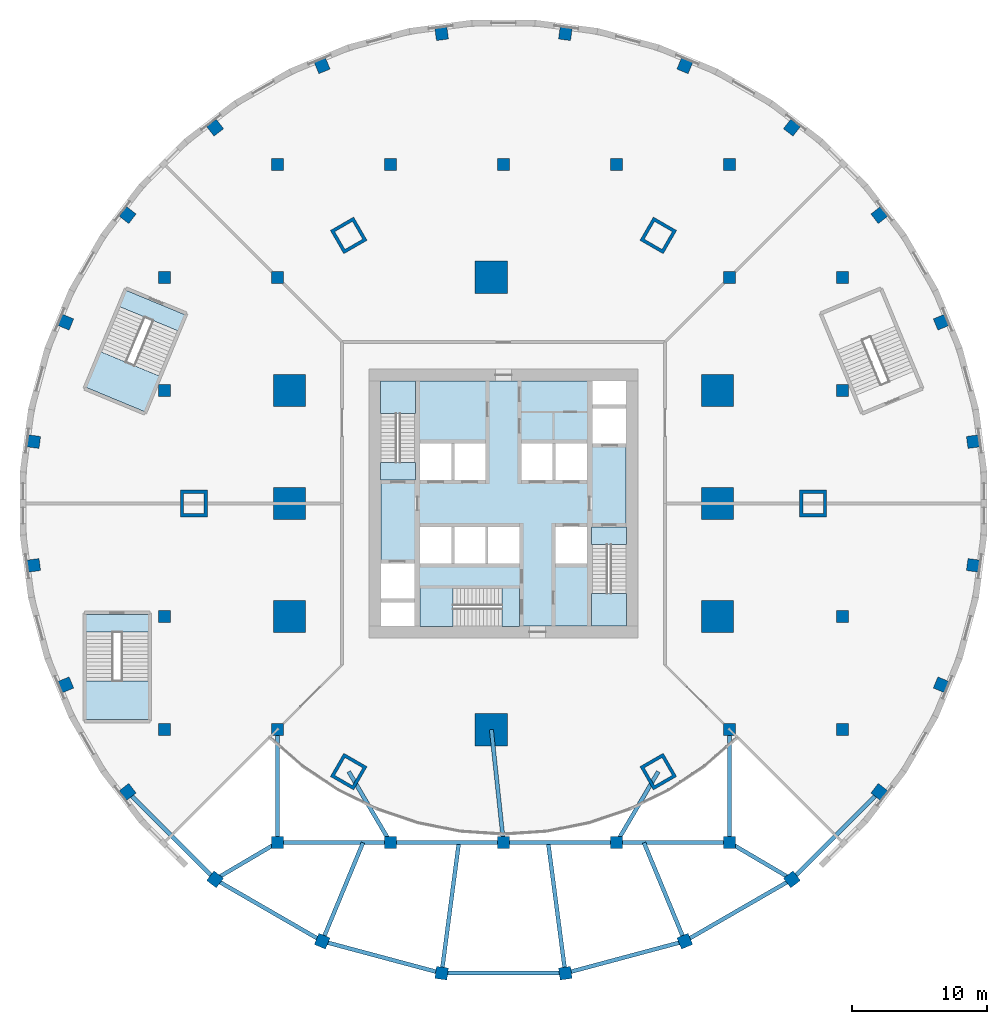
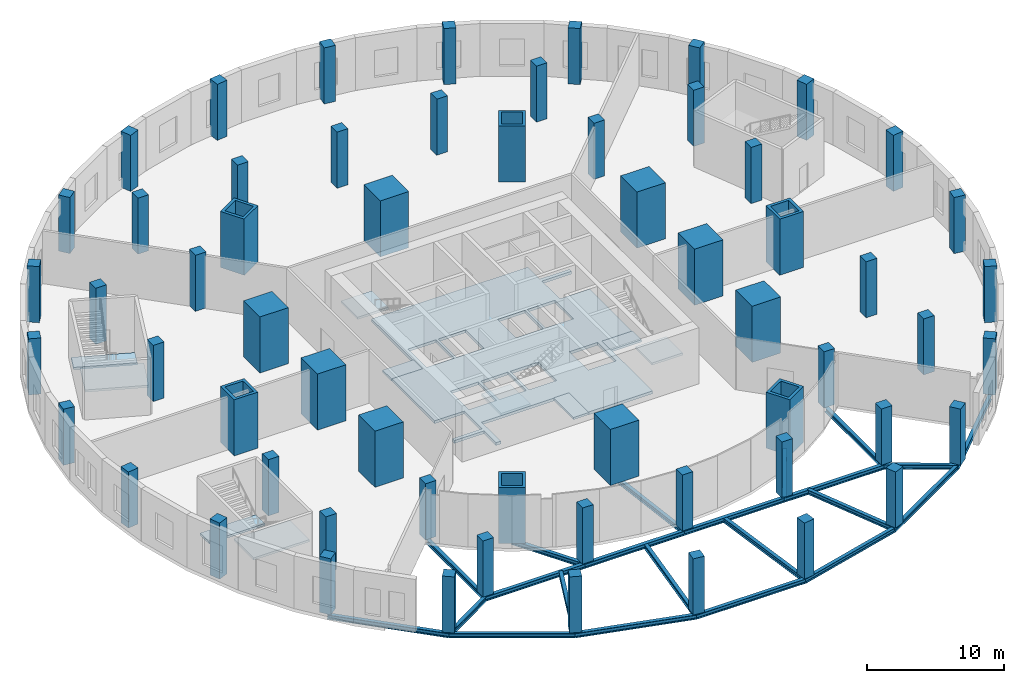
# One storey, part 1 of 11: 60 columns, 22 beams, 11 slabs, 5 elements without a shape of their own.
"""IFC4 building model written with IfcOpenShell, lengths in metres."""

from ifc_helpers import new_model, si_unit, direction, frame, origin, origin_2d, place, context, subcontext, project, spatial, polyline, rectangle, hollow_rectangle, i_section, outline, extrude, material, layer, layer_set, material_profile, profile_set, type_object, element, aggregate, save


model = new_model("IFC4")

# Units and contexts
model_context = context("Model", 3, precision=1e-05, world=origin(), true_north=direction((0.0, 1.0)))
body_context = subcontext(model_context, "Body", "Model", "MODEL_VIEW")
ifc_project = project(units=[si_unit("LENGTHUNIT", "METRE"), si_unit("AREAUNIT", "SQUARE_METRE"), si_unit("VOLUMEUNIT", "CUBIC_METRE"), si_unit("PLANEANGLEUNIT", "RADIAN"), si_unit("MASSUNIT", "GRAM", prefix="KILO")], contexts=[model_context])

# Site, building, storey
site_placement = place(None, origin())
site = spatial("IfcSite", under=ifc_project, at=site_placement, CompositionType="ELEMENT")
building_placement = place(site_placement, origin())
building = spatial("IfcBuilding", under=site, at=building_placement, Name="Golbaran Civic Tower", CompositionType="ELEMENT")
storey_placement = place(building_placement, frame((0.0, 0.0, 11.0)))
storey = spatial("IfcBuildingStorey", under=building, at=storey_placement, Name="L02", CompositionType="ELEMENT", Elevation=11.0)

# Columns
ifc_material_1 = material(Name="Steel S355", Category="steel")
ifc_material_profile_1 = material_profile(ifc_material_1, hollow_rectangle(XDim=2.0, YDim=2.0, WallThickness=0.239990234375, at=origin_2d()), Name="BOX 2000x2000x240")
ifc_profile_set_1 = profile_set([ifc_material_profile_1], Name="Steel S355")
column_type_1 = type_object("IfcColumnType", Name="MEGA COLUMN BOX 2000x2000x240", PredefinedType="COLUMN", material=ifc_profile_set_1)
for number, where, z_axis, x_axis, name in (
    (1, (23.0, 0.0, 0.0), (0.0, 0.0, 1.0), (1.0, 0.0, 0.0), "Column mega 0 L02"),
    (2, (11.5, 19.918701171875, 0.0), (0.0, 0.0, 1.0), (0.5, 0.866025403784, 0.0), "Column mega 60 L02"),
    (3, (-11.5, 19.918701171875, 0.0), (0.0, 0.0, 1.0), (-0.5, 0.866025403784, 0.0), "Column mega 120 L02"),
    (4, (-23.0, 0.0, 0.0), (0.0, 0.0, 1.0), (-1.0, 0.0, 0.0), "Column mega 180 L02"),
    (5, (-11.5, -19.918701171875, 0.0), (0.0, 0.0, 1.0), (-0.5, -0.866025403784, 0.0), "Column mega 240 L02"),
    (6, (11.5, -19.918701171875, 0.0), (0.0, 0.0, 1.0), (0.5, -0.866025403784, 0.0), "Column mega 300 L02"),
):
    element("IfcColumn", number, at=place(storey_placement, frame(where, z_axis=z_axis, x_axis=x_axis)), inside=storey, type_object=column_type_1, Name=name, PredefinedType="COLUMN", context=body_context, shape_type="SweptSolid", body=[
        extrude(hollow_rectangle(XDim=2.0, YDim=2.0, WallThickness=0.239990234375, at=origin_2d()), origin(), (0.0, 0.0, 1.0), 5.0),
    ])
ifc_material_2 = material(Name="Concrete C50/60", Category="concrete")
ifc_material_profile_2 = material_profile(ifc_material_2, rectangle(XDim=0.89990234375, YDim=0.89990234375, at=origin_2d()), Name="RC 900x900")
ifc_profile_set_2 = profile_set([ifc_material_profile_2], Name="Concrete C50/60")
column_type_2 = type_object("IfcColumnType", Name="PODIUM COLUMN RC 900x900", PredefinedType="COLUMN", material=ifc_profile_set_2)
for number, where, z_axis, x_axis, name in (
    (7, (-25.199951171875, -16.800048828125, 0.0), (0.0, 0.0, 1.0), (1.0, 0.0, 0.0), "Column 3/D L02"),
    (8, (-25.199951171875, -8.39990234375, 0.0), (0.0, 0.0, 1.0), (1.0, 0.0, 0.0), "Column 3/E L02"),
    (9, (-25.199951171875, 8.39990234375, 0.0), (0.0, 0.0, 1.0), (1.0, 0.0, 0.0), "Column 3/G L02"),
    (10, (-25.199951171875, 16.800048828125, 0.0), (0.0, 0.0, 1.0), (1.0, 0.0, 0.0), "Column 3/H L02"),
    (11, (-16.800048828125, -25.199951171875, 0.0), (0.0, 0.0, 1.0), (1.0, 0.0, 0.0), "Column 4/C L02"),
    (12, (-16.800048828125, -16.800048828125, 0.0), (0.0, 0.0, 1.0), (1.0, 0.0, 0.0), "Column 4/D L02"),
    (13, (-16.800048828125, 16.800048828125, 0.0), (0.0, 0.0, 1.0), (1.0, 0.0, 0.0), "Column 4/H L02"),
    (14, (-16.800048828125, 25.199951171875, 0.0), (0.0, 0.0, 1.0), (1.0, 0.0, 0.0), "Column 4/J L02"),
    (15, (-8.39990234375, -25.199951171875, 0.0), (0.0, 0.0, 1.0), (1.0, 0.0, 0.0), "Column 5/C L02"),
    (16, (-8.39990234375, 25.199951171875, 0.0), (0.0, 0.0, 1.0), (1.0, 0.0, 0.0), "Column 5/J L02"),
    (17, (0.0, -25.199951171875, 0.0), (0.0, 0.0, 1.0), (1.0, 0.0, 0.0), "Column 6/C L02"),
    (18, (0.0, 25.199951171875, 0.0), (0.0, 0.0, 1.0), (1.0, 0.0, 0.0), "Column 6/J L02"),
    (19, (8.39990234375, -25.199951171875, 0.0), (0.0, 0.0, 1.0), (1.0, 0.0, 0.0), "Column 7/C L02"),
    (20, (8.39990234375, 25.199951171875, 0.0), (0.0, 0.0, 1.0), (1.0, 0.0, 0.0), "Column 7/J L02"),
    (21, (16.800048828125, -25.199951171875, 0.0), (0.0, 0.0, 1.0), (1.0, 0.0, 0.0), "Column 8/C L02"),
    (22, (16.800048828125, -16.800048828125, 0.0), (0.0, 0.0, 1.0), (1.0, 0.0, 0.0), "Column 8/D L02"),
    (23, (16.800048828125, 16.800048828125, 0.0), (0.0, 0.0, 1.0), (1.0, 0.0, 0.0), "Column 8/H L02"),
    (24, (16.800048828125, 25.199951171875, 0.0), (0.0, 0.0, 1.0), (1.0, 0.0, 0.0), "Column 8/J L02"),
    (25, (25.199951171875, -16.800048828125, 0.0), (0.0, 0.0, 1.0), (1.0, 0.0, 0.0), "Column 9/D L02"),
    (26, (25.199951171875, -8.39990234375, 0.0), (0.0, 0.0, 1.0), (1.0, 0.0, 0.0), "Column 9/E L02"),
    (27, (25.199951171875, 8.39990234375, 0.0), (0.0, 0.0, 1.0), (1.0, 0.0, 0.0), "Column 9/G L02"),
    (28, (25.199951171875, 16.800048828125, 0.0), (0.0, 0.0, 1.0), (1.0, 0.0, 0.0), "Column 9/H L02"),
):
    element("IfcColumn", number, at=place(storey_placement, frame(where, z_axis=z_axis, x_axis=x_axis)), inside=storey, type_object=column_type_2, Name=name, PredefinedType="COLUMN", context=body_context, shape_type="SweptSolid", body=[
        extrude(rectangle(XDim=0.89990234375, YDim=0.89990234375, at=origin_2d()), origin(), (0.0, 0.0, 1.0), 5.0),
    ])
ifc_material_profile_3 = material_profile(ifc_material_2, rectangle(XDim=2.39990234375, YDim=2.39990234375, at=origin_2d()), Name="RC 2400x2400")
ifc_profile_set_3 = profile_set([ifc_material_profile_3], Name="Concrete C50/60")
column_type_3 = type_object("IfcColumnType", Name="PODIUM COLUMN UNDER TOWER RC 2400x2400", PredefinedType="COLUMN", material=ifc_profile_set_3)
for number, where, z_axis, x_axis, name in (
    (29, (-15.89990234375, -8.39990234375, 0.0), (0.0, 0.0, 1.0), (1.0, 0.0, 0.0), "Column 4/E L02"),
    (30, (-15.89990234375, 0.0, 0.0), (0.0, 0.0, 1.0), (1.0, 0.0, 0.0), "Column 4/F L02"),
    (31, (-15.89990234375, 8.39990234375, 0.0), (0.0, 0.0, 1.0), (1.0, 0.0, 0.0), "Column 4/G L02"),
    (32, (-0.89990234375, -16.800048828125, 0.0), (0.0, 0.0, 1.0), (1.0, 0.0, 0.0), "Column 6/D L02"),
    (33, (-0.89990234375, 16.800048828125, 0.0), (0.0, 0.0, 1.0), (1.0, 0.0, 0.0), "Column 6/H L02"),
    (34, (15.89990234375, -8.39990234375, 0.0), (0.0, 0.0, 1.0), (1.0, 0.0, 0.0), "Column 8/E L02"),
    (35, (15.89990234375, 0.0, 0.0), (0.0, 0.0, 1.0), (1.0, 0.0, 0.0), "Column 8/F L02"),
    (36, (15.89990234375, 8.39990234375, 0.0), (0.0, 0.0, 1.0), (1.0, 0.0, 0.0), "Column 8/G L02"),
):
    element("IfcColumn", number, at=place(storey_placement, frame(where, z_axis=z_axis, x_axis=x_axis)), inside=storey, type_object=column_type_3, Name=name, PredefinedType="COLUMN", context=body_context, shape_type="SweptSolid", body=[
        extrude(rectangle(XDim=2.39990234375, YDim=2.39990234375, at=origin_2d()), origin(), (0.0, 0.0, 1.0), 5.0),
    ])
ifc_material_profile_4 = material_profile(ifc_material_2, rectangle(XDim=0.89990234375, YDim=0.89990234375, at=origin_2d()), Name="RC 900x900")
ifc_profile_set_4 = profile_set([ifc_material_profile_4], Name="Concrete C50/60")
column_type_4 = type_object("IfcColumnType", Name="PODIUM EDGE COLUMN RC 900x900", PredefinedType="COLUMN", material=ifc_profile_set_4)
for number, where, z_axis, x_axis, name in (
    (37, (34.89892578125, 4.594482421875, 0.0), (0.0, 0.0, 1.0), (0.991444861374, 0.13052619222, 0.0), "Column edge 7.5 L02"),
    (38, (32.5205078125, 13.470458984375, 0.0), (0.0, 0.0, 1.0), (0.923879532511, 0.382683432365, 0.0), "Column edge 22.5 L02"),
    (39, (27.926025390625, 21.428466796875, 0.0), (0.0, 0.0, 1.0), (0.793353340291, 0.608761429009, 0.0), "Column edge 37.5 L02"),
    (40, (21.428466796875, 27.926025390625, 0.0), (0.0, 0.0, 1.0), (0.608761429009, 0.793353340291, 0.0), "Column edge 52.5 L02"),
    (41, (13.470458984375, 32.5205078125, 0.0), (0.0, 0.0, 1.0), (0.382683432365, 0.923879532511, 0.0), "Column edge 67.5 L02"),
    (42, (4.594482421875, 34.89892578125, 0.0), (0.0, 0.0, 1.0), (0.13052619222, 0.991444861374, 0.0), "Column edge 82.5 L02"),
    (43, (-4.594482421875, 34.89892578125, 0.0), (0.0, 0.0, 1.0), (-0.13052619222, 0.991444861374, 0.0), "Column edge 97.5 L02"),
    (44, (-13.470458984375, 32.5205078125, 0.0), (0.0, 0.0, 1.0), (-0.382683432365, 0.923879532511, 0.0), "Column edge 112.5 L02"),
    (45, (-21.428466796875, 27.926025390625, 0.0), (0.0, 0.0, 1.0), (-0.608761429009, 0.793353340291, 0.0), "Column edge 127.5 L02"),
    (46, (-27.926025390625, 21.428466796875, 0.0), (0.0, 0.0, 1.0), (-0.793353340291, 0.608761429009, 0.0), "Column edge 142.5 L02"),
    (47, (-32.5205078125, 13.470458984375, 0.0), (0.0, 0.0, 1.0), (-0.923879532511, 0.382683432365, 0.0), "Column edge 157.5 L02"),
    (48, (-34.89892578125, 4.594482421875, 0.0), (0.0, 0.0, 1.0), (-0.991444861374, 0.13052619222, 0.0), "Column edge 172.5 L02"),
    (49, (-34.89892578125, -4.594482421875, 0.0), (0.0, 0.0, 1.0), (-0.991444861374, -0.13052619222, 0.0), "Column edge 187.5 L02"),
    (50, (-32.5205078125, -13.470458984375, 0.0), (0.0, 0.0, 1.0), (-0.923879532511, -0.382683432365, 0.0), "Column edge 202.5 L02"),
    (51, (-27.926025390625, -21.428466796875, 0.0), (0.0, 0.0, 1.0), (-0.793353340291, -0.608761429009, 0.0), "Column edge 217.5 L02"),
    (52, (-21.428466796875, -27.926025390625, 0.0), (0.0, 0.0, 1.0), (-0.608761429009, -0.793353340291, 0.0), "Column edge 232.5 L02"),
    (53, (-13.470458984375, -32.5205078125, 0.0), (0.0, 0.0, 1.0), (-0.382683432365, -0.923879532511, 0.0), "Column edge 247.5 L02"),
    (54, (-4.594482421875, -34.89892578125, 0.0), (0.0, 0.0, 1.0), (-0.13052619222, -0.991444861374, 0.0), "Column edge 262.5 L02"),
    (55, (4.594482421875, -34.89892578125, 0.0), (0.0, 0.0, 1.0), (0.13052619222, -0.991444861374, 0.0), "Column edge 277.5 L02"),
    (56, (13.470458984375, -32.5205078125, 0.0), (0.0, 0.0, 1.0), (0.382683432365, -0.923879532511, 0.0), "Column edge 292.5 L02"),
    (57, (21.428466796875, -27.926025390625, 0.0), (0.0, 0.0, 1.0), (0.608761429009, -0.793353340291, 0.0), "Column edge 307.5 L02"),
    (58, (27.926025390625, -21.428466796875, 0.0), (0.0, 0.0, 1.0), (0.793353340291, -0.608761429009, 0.0), "Column edge 322.5 L02"),
    (59, (32.5205078125, -13.470458984375, 0.0), (0.0, 0.0, 1.0), (0.923879532511, -0.382683432365, 0.0), "Column edge 337.5 L02"),
    (60, (34.89892578125, -4.594482421875, 0.0), (0.0, 0.0, 1.0), (0.991444861374, -0.13052619222, 0.0), "Column edge 352.5 L02"),
):
    element("IfcColumn", number, at=place(storey_placement, frame(where, z_axis=z_axis, x_axis=x_axis)), inside=storey, type_object=column_type_4, Name=name, PredefinedType="COLUMN", context=body_context, shape_type="SweptSolid", body=[
        extrude(rectangle(XDim=0.89990234375, YDim=0.89990234375, at=origin_2d()), origin(), (0.0, 0.0, 1.0), 5.0),
    ])

# Beams
ifc_material_profile_5 = material_profile(ifc_material_1, i_section(OverallWidth=0.300048828125, OverallDepth=0.39990234375, WebThickness=0.013427734375, FlangeThickness=0.02392578125, FilletRadius=0.027099609375, at=origin_2d()), Name="HEB 400")
ifc_profile_set_5 = profile_set([ifc_material_profile_5], Name="Steel S355")
beam_type = type_object("IfcBeamType", Name="ATRIUM BRACING TIE HEB 400", PredefinedType="BEAM", material=ifc_profile_set_5)
beam_1_placement = place(storey_placement, frame((-16.800048828125, -25.199951171875, -0.5), z_axis=(1.0, 0.0, 0.0), x_axis=(0.0, 1.0, 0.0)))
element("IfcBeam", 61, at=beam_1_placement, inside=storey, type_object=beam_type, Name="Atrium bracing tie L02 ROW 01", PredefinedType="BEAM", context=body_context, shape_type="SweptSolid", body=[
    extrude(i_section(OverallWidth=0.300048828125, OverallDepth=0.39990234375, WebThickness=0.013427734375, FlangeThickness=0.02392578125, FilletRadius=0.027099609375, at=origin_2d()), origin(), (0.0, 0.0, 1.0), 8.400146484375),
])
for number, where, z_axis, x_axis, name in (
    (62, (-8.39990234375, -25.199951171875, -0.5), (1.0, 0.0, 0.0), (0.0, 1.0, 0.0), "Atrium bracing tie L02 ROW 02"),
    (63, (0.0, -25.199951171875, -0.5), (1.0, 0.0, 0.0), (0.0, 1.0, 0.0), "Atrium bracing tie L02 ROW 03"),
):
    element("IfcBeam", number, at=place(storey_placement, frame(where, z_axis=z_axis, x_axis=x_axis)), inside=storey, type_object=beam_type, Name=name, PredefinedType="BEAM", context=body_context, shape_type="SweptSolid", body=[
        extrude(i_section(OverallWidth=0.300048828125, OverallDepth=0.39990234375, WebThickness=0.013427734375, FlangeThickness=0.02392578125, FilletRadius=0.027099609375, at=origin_2d()), origin(), (0.0, 0.0, 1.0), 8.39990234375),
    ])
beam_2_placement = place(storey_placement, frame((8.39990234375, -25.199951171875, -0.5), z_axis=(1.0, 0.0, 0.0), x_axis=(0.0, 1.0, 0.0)))
element("IfcBeam", 64, at=beam_2_placement, inside=storey, type_object=beam_type, Name="Atrium bracing tie L02 ROW 04", PredefinedType="BEAM", context=body_context, shape_type="SweptSolid", body=[
    extrude(i_section(OverallWidth=0.300048828125, OverallDepth=0.39990234375, WebThickness=0.013427734375, FlangeThickness=0.02392578125, FilletRadius=0.027099609375, at=origin_2d()), origin(), (0.0, 0.0, 1.0), 8.400146484375),
])
for number, where, z_axis, x_axis, name in (
    (65, (-27.926025390625, -21.428466796875, -0.5), (0.707106781187, -0.707106781187, 0.0), (0.707106781187, 0.707106781187, 0.0), "Atrium bracing tie L02 RING 01"),
    (66, (-21.428466796875, -27.926025390625, -0.5), (0.86602896297, -0.49999383526, 0.0), (0.49999383526, 0.86602896297, 0.0), "Atrium bracing tie L02 RING 02"),
):
    element("IfcBeam", number, at=place(storey_placement, frame(where, z_axis=z_axis, x_axis=x_axis)), inside=storey, type_object=beam_type, Name=name, PredefinedType="BEAM", context=body_context, shape_type="SweptSolid", body=[
        extrude(i_section(OverallWidth=0.300048828125, OverallDepth=0.39990234375, WebThickness=0.013427734375, FlangeThickness=0.02392578125, FilletRadius=0.027099609375, at=origin_2d()), origin(), (0.0, 0.0, 1.0), 9.18896484375),
    ])
beam_3_placement = place(storey_placement, frame((-13.470458984375, -32.5205078125, -0.5), z_axis=(0.965922909277, -0.258829931295, 0.0), x_axis=(0.258829931295, 0.965922909277, 0.0)))
element("IfcBeam", 67, at=beam_3_placement, inside=storey, type_object=beam_type, Name="Atrium bracing tie L02 RING 03", PredefinedType="BEAM", context=body_context, shape_type="SweptSolid", body=[
    extrude(i_section(OverallWidth=0.300048828125, OverallDepth=0.39990234375, WebThickness=0.013427734375, FlangeThickness=0.02392578125, FilletRadius=0.027099609375, at=origin_2d()), origin(), (0.0, 0.0, 1.0), 9.189208984375),
])
beam_4_placement = place(storey_placement, frame((-4.594482421875, -34.89892578125, -0.5), z_axis=(1.0, 0.0, 0.0), x_axis=(0.0, 1.0, 0.0)))
element("IfcBeam", 68, at=beam_4_placement, inside=storey, type_object=beam_type, Name="Atrium bracing tie L02 RING 04", PredefinedType="BEAM", context=body_context, shape_type="SweptSolid", body=[
    extrude(i_section(OverallWidth=0.300048828125, OverallDepth=0.39990234375, WebThickness=0.013427734375, FlangeThickness=0.02392578125, FilletRadius=0.027099609375, at=origin_2d()), origin(), (0.0, 0.0, 1.0), 9.18896484375),
])
beam_5_placement = place(storey_placement, frame((4.594482421875, -34.89892578125, -0.5), z_axis=(0.965922909277, 0.258829931295, 0.0), x_axis=(-0.258829931295, 0.965922909277, 0.0)))
element("IfcBeam", 69, at=beam_5_placement, inside=storey, type_object=beam_type, Name="Atrium bracing tie L02 RING 05", PredefinedType="BEAM", context=body_context, shape_type="SweptSolid", body=[
    extrude(i_section(OverallWidth=0.300048828125, OverallDepth=0.39990234375, WebThickness=0.013427734375, FlangeThickness=0.02392578125, FilletRadius=0.027099609375, at=origin_2d()), origin(), (0.0, 0.0, 1.0), 9.189208984375),
])
for number, where, z_axis, x_axis, name in (
    (70, (13.470458984375, -32.5205078125, -0.5), (0.86602896297, 0.49999383526, 0.0), (-0.49999383526, 0.86602896297, 0.0), "Atrium bracing tie L02 RING 06"),
    (71, (21.428466796875, -27.926025390625, -0.5), (0.707106781187, 0.707106781187, 0.0), (-0.707106781187, 0.707106781187, 0.0), "Atrium bracing tie L02 RING 07"),
):
    element("IfcBeam", number, at=place(storey_placement, frame(where, z_axis=z_axis, x_axis=x_axis)), inside=storey, type_object=beam_type, Name=name, PredefinedType="BEAM", context=body_context, shape_type="SweptSolid", body=[
        extrude(i_section(OverallWidth=0.300048828125, OverallDepth=0.39990234375, WebThickness=0.013427734375, FlangeThickness=0.02392578125, FilletRadius=0.027099609375, at=origin_2d()), origin(), (0.0, 0.0, 1.0), 9.18896484375),
    ])
beam_6_placement = place(storey_placement, frame((-16.800048828125, -25.199951171875, -0.5), z_axis=(0.0, 1.0, 0.0), x_axis=(-1.0, 0.0, 0.0)))
element("IfcBeam", 72, at=beam_6_placement, inside=storey, type_object=beam_type, Name="Atrium bracing tie L02 GR 4C", PredefinedType="BEAM", context=body_context, shape_type="SweptSolid", body=[
    extrude(i_section(OverallWidth=0.300048828125, OverallDepth=0.39990234375, WebThickness=0.013427734375, FlangeThickness=0.02392578125, FilletRadius=0.027099609375, at=origin_2d()), origin(), (0.0, 0.0, 1.0), 8.39990234375),
])
beam_7_placement = place(storey_placement, frame((-8.39990234375, -25.199951171875, -0.5), z_axis=(-0.506228930688, 0.862399135977, 0.0), x_axis=(-0.862399135977, -0.506228930688, 0.0)))
element("IfcBeam", 73, at=beam_7_placement, inside=storey, type_object=beam_type, Name="Atrium bracing tie L02 GR 5C", PredefinedType="BEAM", context=body_context, shape_type="SweptSolid", body=[
    extrude(i_section(OverallWidth=0.300048828125, OverallDepth=0.39990234375, WebThickness=0.013427734375, FlangeThickness=0.02392578125, FilletRadius=0.027099609375, at=origin_2d()), origin(), (0.0, 0.0, 1.0), 6.1240234375),
])
beam_8_placement = place(storey_placement, frame((0.0, -25.199951171875, -0.5), z_axis=(-0.106522919579, 0.994310247159, 0.0), x_axis=(-0.994310247159, -0.106522919579, 0.0)))
element("IfcBeam", 74, at=beam_8_placement, inside=storey, type_object=beam_type, Name="Atrium bracing tie L02 GR 6C", PredefinedType="BEAM", context=body_context, shape_type="SweptSolid", body=[
    extrude(i_section(OverallWidth=0.300048828125, OverallDepth=0.39990234375, WebThickness=0.013427734375, FlangeThickness=0.02392578125, FilletRadius=0.027099609375, at=origin_2d()), origin(), (0.0, 0.0, 1.0), 8.447998046875),
])
beam_9_placement = place(storey_placement, frame((8.39990234375, -25.199951171875, -0.5), z_axis=(0.506228930688, 0.862399135977, 0.0), x_axis=(-0.862399135977, 0.506228930688, 0.0)))
element("IfcBeam", 75, at=beam_9_placement, inside=storey, type_object=beam_type, Name="Atrium bracing tie L02 GR 7C", PredefinedType="BEAM", context=body_context, shape_type="SweptSolid", body=[
    extrude(i_section(OverallWidth=0.300048828125, OverallDepth=0.39990234375, WebThickness=0.013427734375, FlangeThickness=0.02392578125, FilletRadius=0.027099609375, at=origin_2d()), origin(), (0.0, 0.0, 1.0), 6.1240234375),
])
beam_10_placement = place(storey_placement, frame((16.800048828125, -25.199951171875, -0.5), z_axis=(0.0, 1.0, 0.0), x_axis=(-1.0, 0.0, 0.0)))
element("IfcBeam", 76, at=beam_10_placement, inside=storey, type_object=beam_type, Name="Atrium bracing tie L02 GR 8C", PredefinedType="BEAM", context=body_context, shape_type="SweptSolid", body=[
    extrude(i_section(OverallWidth=0.300048828125, OverallDepth=0.39990234375, WebThickness=0.013427734375, FlangeThickness=0.02392578125, FilletRadius=0.027099609375, at=origin_2d()), origin(), (0.0, 0.0, 1.0), 8.39990234375),
])
beam_11_placement = place(storey_placement, frame((-21.428466796875, -27.926025390625, -0.5), z_axis=(0.861651329698, 0.507500725151, 0.0), x_axis=(-0.507500725151, 0.861651329698, 0.0)))
element("IfcBeam", 77, at=beam_11_placement, inside=storey, type_object=beam_type, Name="Atrium bracing tie L02 ER 2325", PredefinedType="BEAM", context=body_context, shape_type="SweptSolid", body=[
    extrude(i_section(OverallWidth=0.300048828125, OverallDepth=0.39990234375, WebThickness=0.013427734375, FlangeThickness=0.02392578125, FilletRadius=0.027099609375, at=origin_2d()), origin(), (0.0, 0.0, 1.0), 5.37158203125),
])
beam_12_placement = place(storey_placement, frame((-13.470458984375, -32.5205078125, -0.5), z_axis=(0.382678339047, 0.923881642216, 0.0), x_axis=(-0.923881642216, 0.382678339047, 0.0)))
element("IfcBeam", 78, at=beam_12_placement, inside=storey, type_object=beam_type, Name="Atrium bracing tie L02 ER 2475", PredefinedType="BEAM", context=body_context, shape_type="SweptSolid", body=[
    extrude(i_section(OverallWidth=0.300048828125, OverallDepth=0.39990234375, WebThickness=0.013427734375, FlangeThickness=0.02392578125, FilletRadius=0.027099609375, at=origin_2d()), origin(), (0.0, 0.0, 1.0), 7.923583984375),
])
for number, where, z_axis, x_axis, name in (
    (79, (-4.594482421875, -34.89892578125, -0.5), (0.130522297348, 0.991445374136, 0.0), (-0.991445374136, 0.130522297348, 0.0), "Atrium bracing tie L02 ER 2625"),
    (80, (4.594482421875, -34.89892578125, -0.5), (-0.130522297348, 0.991445374136, 0.0), (-0.991445374136, -0.130522297348, 0.0), "Atrium bracing tie L02 ER 2775"),
):
    element("IfcBeam", number, at=place(storey_placement, frame(where, z_axis=z_axis, x_axis=x_axis)), inside=storey, type_object=beam_type, Name=name, PredefinedType="BEAM", context=body_context, shape_type="SweptSolid", body=[
        extrude(i_section(OverallWidth=0.300048828125, OverallDepth=0.39990234375, WebThickness=0.013427734375, FlangeThickness=0.02392578125, FilletRadius=0.027099609375, at=origin_2d()), origin(), (0.0, 0.0, 1.0), 9.78271484375),
    ])
beam_13_placement = place(storey_placement, frame((13.470458984375, -32.5205078125, -0.5), z_axis=(-0.382678339047, 0.923881642216, 0.0), x_axis=(-0.923881642216, -0.382678339047, 0.0)))
element("IfcBeam", 81, at=beam_13_placement, inside=storey, type_object=beam_type, Name="Atrium bracing tie L02 ER 2925", PredefinedType="BEAM", context=body_context, shape_type="SweptSolid", body=[
    extrude(i_section(OverallWidth=0.300048828125, OverallDepth=0.39990234375, WebThickness=0.013427734375, FlangeThickness=0.02392578125, FilletRadius=0.027099609375, at=origin_2d()), origin(), (0.0, 0.0, 1.0), 7.923583984375),
])
beam_14_placement = place(storey_placement, frame((21.428466796875, -27.926025390625, -0.5), z_axis=(-0.861651329698, 0.507500725151, 0.0), x_axis=(-0.507500725151, -0.861651329698, 0.0)))
element("IfcBeam", 82, at=beam_14_placement, inside=storey, type_object=beam_type, Name="Atrium bracing tie L02 ER 3075", PredefinedType="BEAM", context=body_context, shape_type="SweptSolid", body=[
    extrude(i_section(OverallWidth=0.300048828125, OverallDepth=0.39990234375, WebThickness=0.013427734375, FlangeThickness=0.02392578125, FilletRadius=0.027099609375, at=origin_2d()), origin(), (0.0, 0.0, 1.0), 5.37158203125),
])

# Slab
ifc_material_3 = material(Name="Concrete C35/45", Category="concrete")
ifc_layer_1 = layer(ifc_material_3, 0.25, Name="Concrete C35/45")
ifc_layer_set_1 = layer_set([ifc_layer_1], Name="Concrete C35/45")
slab_type_1 = type_object("IfcSlabType", Name="CORE FLOOR SLAB 250", PredefinedType="FLOOR", material=ifc_layer_set_1)
slab_1_placement = place(storey_placement, frame((0.0, 0.0, -0.25)))
element("IfcSlab", 83, at=slab_1_placement, inside=storey, type_object=slab_type_1, Name="Core floor slab L02", PredefinedType="FLOOR", context=body_context, shape_type="SweptSolid", body=[
    extrude(outline(polyline([(6.60009765625, -1.75), (6.60009765625, -9.10009765625), (1.199951171875, -9.10009765625), (1.199951171875, -6.300048828125), (-6.199951171875, -6.300048828125), (-6.199951171875, -9.10009765625), (-6.60009765625, -9.10009765625), (-6.60009765625, -7.35009765625), (-9.10009765625, -7.35009765625), (-9.10009765625, -7.050048828125), (-6.60009765625, -7.050048828125), (-6.60009765625, -4.449951171875), (-9.10009765625, -4.449951171875), (-9.10009765625, 1.75), (-6.60009765625, 1.75), (-6.60009765625, 9.10009765625), (6.60009765625, 9.10009765625), (6.60009765625, 7.35009765625), (9.10009765625, 7.35009765625), (9.10009765625, 7.050048828125), (6.60009765625, 7.050048828125), (6.60009765625, 4.449951171875), (9.10009765625, 4.449951171875), (9.10009765625, -1.75), (6.60009765625, -1.75)]), holes=[polyline([(6.199951171875, -1.75), (3.85009765625, -1.75), (3.85009765625, -4.449951171875), (6.199951171875, -4.449951171875), (6.199951171875, -1.75)]), polyline([(6.199951171875, 4.449951171875), (3.85009765625, 4.449951171875), (3.85009765625, 1.75), (6.199951171875, 1.75), (6.199951171875, 4.449951171875)]), polyline([(3.64990234375, 4.449951171875), (1.35009765625, 4.449951171875), (1.35009765625, 1.75), (3.64990234375, 1.75), (3.64990234375, 4.449951171875)]), polyline([(1.199951171875, -1.75), (-1.14990234375, -1.75), (-1.14990234375, -4.449951171875), (1.199951171875, -4.449951171875), (1.199951171875, -1.75)]), polyline([(-1.35009765625, 4.449951171875), (-3.64990234375, 4.449951171875), (-3.64990234375, 1.75), (-1.35009765625, 1.75), (-1.35009765625, 4.449951171875)]), polyline([(-1.35009765625, -1.75), (-3.64990234375, -1.75), (-3.64990234375, -4.449951171875), (-1.35009765625, -4.449951171875), (-1.35009765625, -1.75)]), polyline([(-3.85009765625, -1.75), (-6.199951171875, -1.75), (-6.199951171875, -4.449951171875), (-3.85009765625, -4.449951171875), (-3.85009765625, -1.75)]), polyline([(-3.85009765625, 4.449951171875), (-6.199951171875, 4.449951171875), (-6.199951171875, 1.75), (-3.85009765625, 1.75), (-3.85009765625, 4.449951171875)])]), origin(), (0.0, 0.0, 1.0), 0.25),
])

# Stair, slab
stair_type_1 = type_object("IfcStairType", Name="EXIT STAIR 2500 x 7350, 5000 RISE", PredefinedType="HALF_TURN_STAIR", material=ifc_material_3)
stair_1_placement = place(storey_placement, origin())
stair_1 = element("IfcStair", 84, at=stair_1_placement, inside=storey, type_object=stair_type_1, Name="Stair S1 L02", PredefinedType="HALF_TURN_STAIR")
ifc_layer_2 = layer(ifc_material_3, 0.199951171875, Name="Concrete C35/45")
ifc_layer_set_2 = layer_set([ifc_layer_2], Name="Concrete C35/45")
slab_type_2 = type_object("IfcSlabType", Name="STAIR LANDING 200", PredefinedType="LANDING", material=ifc_layer_set_2)
slab_2_placement = place(storey_placement, frame((0.0, 0.0, 2.300048828125)))
slab_2 = element("IfcSlab", 85, at=slab_2_placement, type_object=slab_type_2, Name="ST25074-50 landing 1", PredefinedType="LANDING", context=body_context, shape_type="SweptSolid", body=[
    extrude(outline(polyline([(-9.14990234375, 6.68505859375), (-9.14990234375, 9.10009765625), (-6.550048828125, 9.10009765625), (-6.550048828125, 6.68505859375), (-9.14990234375, 6.68505859375)])), origin(), (0.0, 0.0, 1.0), 0.199951171875),
])
aggregate(stair_1, [slab_2])

# Slab
slab_3_placement = place(storey_placement, frame((0.0, 0.0, -0.199951171875)))
element("IfcSlab", 86, at=slab_3_placement, inside=storey, type_object=slab_type_2, Name="Stair S1 floor landing L02", PredefinedType="LANDING", context=body_context, shape_type="SweptSolid", body=[
    extrude(outline(polyline([(-9.14990234375, 1.75), (-9.14990234375, 3.054931640625), (-6.550048828125, 3.054931640625), (-6.550048828125, 1.75), (-9.14990234375, 1.75)])), origin(), (0.0, 0.0, 1.0), 0.199951171875),
])

# Stair, slab
stair_2_placement = place(storey_placement, origin())
stair_2 = element("IfcStair", 87, at=stair_2_placement, inside=storey, type_object=stair_type_1, Name="Stair S2 L02", PredefinedType="HALF_TURN_STAIR")
slab_4_placement = place(storey_placement, frame((0.0, 0.0, 2.300048828125)))
slab_4 = element("IfcSlab", 88, at=slab_4_placement, type_object=slab_type_2, Name="ST25074-50 landing 1", PredefinedType="LANDING", context=body_context, shape_type="SweptSolid", body=[
    extrude(outline(polyline([(9.14990234375, -6.68505859375), (9.14990234375, -9.10009765625), (6.550048828125, -9.10009765625), (6.550048828125, -6.68505859375), (9.14990234375, -6.68505859375)])), origin(), (0.0, 0.0, 1.0), 0.199951171875),
])
aggregate(stair_2, [slab_4])

# Slab
slab_5_placement = place(storey_placement, frame((0.0, 0.0, -0.199951171875)))
element("IfcSlab", 89, at=slab_5_placement, inside=storey, type_object=slab_type_2, Name="Stair S2 floor landing L02", PredefinedType="LANDING", context=body_context, shape_type="SweptSolid", body=[
    extrude(outline(polyline([(9.14990234375, -1.75), (9.14990234375, -3.054931640625), (6.550048828125, -3.054931640625), (6.550048828125, -1.75), (9.14990234375, -1.75)])), origin(), (0.0, 0.0, 1.0), 0.199951171875),
])

# Stair, slab
stair_type_2 = type_object("IfcStairType", Name="EXIT STAIR 2800 x 7400, 5000 RISE", PredefinedType="HALF_TURN_STAIR", material=ifc_material_3)
stair_3_placement = place(storey_placement, origin())
stair_3 = element("IfcStair", 90, at=stair_3_placement, inside=storey, type_object=stair_type_2, Name="Stair S3 L02", PredefinedType="HALF_TURN_STAIR")
slab_6_placement = place(storey_placement, frame((0.0, 0.0, 2.300048828125)))
slab_6 = element("IfcSlab", 91, at=slab_6_placement, type_object=slab_type_2, Name="ST28074-50 landing 1", PredefinedType="LANDING", context=body_context, shape_type="SweptSolid", body=[
    extrude(outline(polyline([(-3.735107421875, -9.14990234375), (-6.199951171875, -9.14990234375), (-6.199951171875, -6.25), (-3.735107421875, -6.25), (-3.735107421875, -9.14990234375)])), origin(), (0.0, 0.0, 1.0), 0.199951171875),
])
aggregate(stair_3, [slab_6])

# Slab
slab_7_placement = place(storey_placement, frame((0.0, 0.0, -0.199951171875)))
element("IfcSlab", 92, at=slab_7_placement, inside=storey, type_object=slab_type_2, Name="Stair S3 floor landing L02", PredefinedType="LANDING", context=body_context, shape_type="SweptSolid", body=[
    extrude(outline(polyline([(1.199951171875, -9.14990234375), (-0.10498046875, -9.14990234375), (-0.10498046875, -6.25), (1.199951171875, -6.25), (1.199951171875, -9.14990234375)])), origin(), (0.0, 0.0, 1.0), 0.199951171875),
])

# Stair, slab
stair_type_3 = type_object("IfcStairType", Name="EXIT STAIR 4600 x 7800, 5000 RISE", PredefinedType="HALF_TURN_STAIR", material=ifc_material_3)
stair_4_placement = place(storey_placement, origin())
stair_4 = element("IfcStair", 93, at=stair_4_placement, inside=storey, type_object=stair_type_3, Name="Stair P2 L02", PredefinedType="HALF_TURN_STAIR")
slab_8_placement = place(storey_placement, frame((0.0, 0.0, 2.300048828125)))
slab_8 = element("IfcSlab", 94, at=slab_8_placement, type_object=slab_type_2, Name="ST46078-50 landing 1", PredefinedType="LANDING", context=body_context, shape_type="SweptSolid", body=[
    extrude(outline(polyline([(-25.57177734375, 9.471923828125), (-26.668212890625, 6.824951171875), (-31.010498046875, 8.62353515625), (-29.9140625, 11.2705078125), (-25.57177734375, 9.471923828125)])), origin(), (0.0, 0.0, 1.0), 0.199951171875),
])
aggregate(stair_4, [slab_8])

# Slab
slab_9_placement = place(storey_placement, frame((0.0, 0.0, -0.199951171875)))
element("IfcSlab", 95, at=slab_9_placement, inside=storey, type_object=slab_type_2, Name="Stair P2 floor landing L02", PredefinedType="LANDING", context=body_context, shape_type="SweptSolid", body=[
    extrude(outline(polyline([(-23.683349609375, 14.03125), (-24.1826171875, 12.82568359375), (-28.52490234375, 14.624267578125), (-28.025390625, 15.829833984375), (-23.683349609375, 14.03125)])), origin(), (0.0, 0.0, 1.0), 0.199951171875),
])

# Stair, slab
stair_5_placement = place(storey_placement, origin())
stair_5 = element("IfcStair", 96, at=stair_5_placement, inside=storey, type_object=stair_type_3, Name="Stair P3 L02", PredefinedType="HALF_TURN_STAIR")
slab_10_placement = place(storey_placement, frame((0.0, 0.0, 2.300048828125)))
slab_10 = element("IfcSlab", 97, at=slab_10_placement, type_object=slab_type_2, Name="ST46078-50 landing 1", PredefinedType="LANDING", context=body_context, shape_type="SweptSolid", body=[
    extrude(outline(polyline([(-26.35009765625, -13.18505859375), (-26.35009765625, -16.050048828125), (-31.050048828125, -16.050048828125), (-31.050048828125, -13.18505859375), (-26.35009765625, -13.18505859375)])), origin(), (0.0, 0.0, 1.0), 0.199951171875),
])
aggregate(stair_5, [slab_10])

# Slab
slab_11_placement = place(storey_placement, frame((0.0, 0.0, -0.199951171875)))
element("IfcSlab", 98, at=slab_11_placement, inside=storey, type_object=slab_type_2, Name="Stair P3 floor landing L02", PredefinedType="LANDING", context=body_context, shape_type="SweptSolid", body=[
    extrude(outline(polyline([(-26.35009765625, -8.25), (-26.35009765625, -9.554931640625), (-31.050048828125, -9.554931640625), (-31.050048828125, -8.25), (-26.35009765625, -8.25)])), origin(), (0.0, 0.0, 1.0), 0.199951171875),
])

save(model, "model.ifc")
